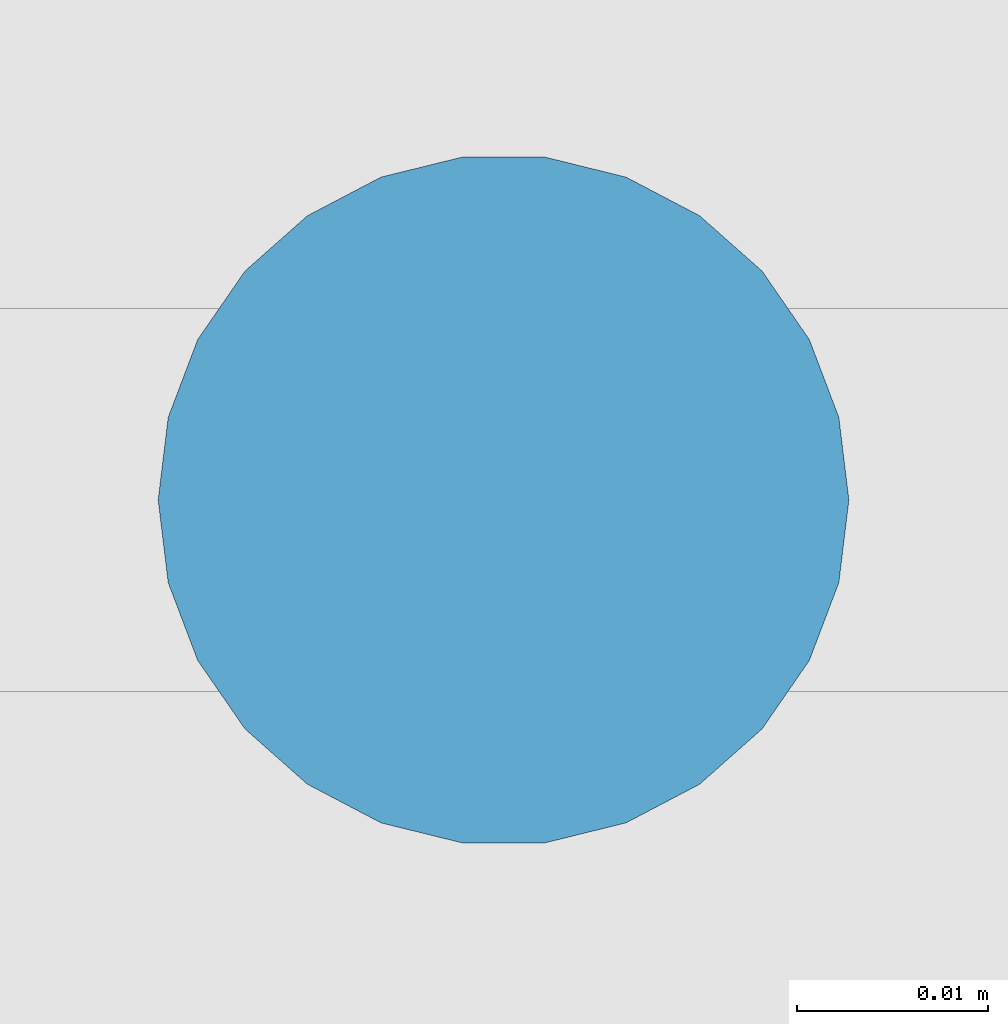
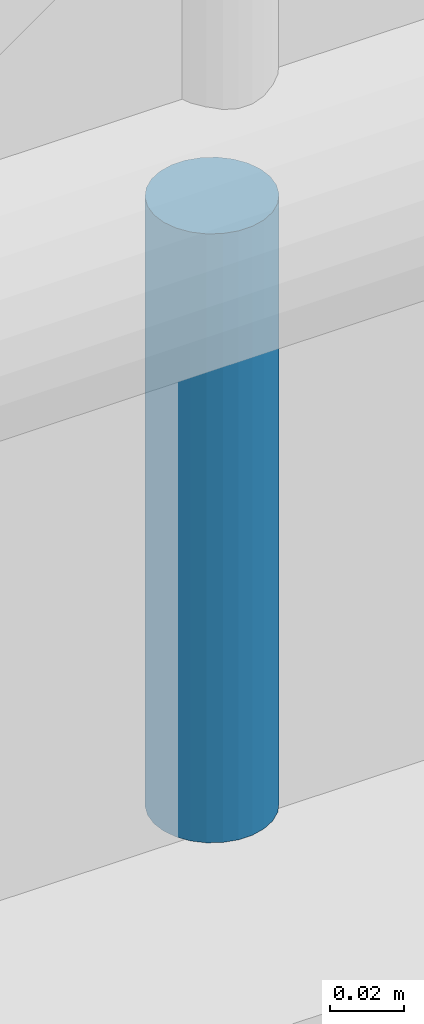
# One storey, part 244 of 321: 1 member.
"""IFC4 building model written with IfcOpenShell, lengths in metres."""

from ifc_helpers import new_model, si_unit, direction, frame, origin, origin_2d, place, context, subcontext, project, spatial, circle, extrude, material, material_profile, profile_set, type_object, element, save


model = new_model("IFC4")

# Units and contexts
model_context = context("Model", 3, precision=1e-05, world=origin(), true_north=direction((0.0, 1.0)))
body_context = subcontext(model_context, "Body", "Model", "MODEL_VIEW")
ifc_project = project(units=[si_unit("LENGTHUNIT", "METRE"), si_unit("AREAUNIT", "SQUARE_METRE"), si_unit("VOLUMEUNIT", "CUBIC_METRE"), si_unit("PLANEANGLEUNIT", "RADIAN"), si_unit("MASSUNIT", "GRAM", prefix="KILO")], contexts=[model_context])

# Site, building, storey
site_placement = place(None, origin())
site = spatial("IfcSite", under=ifc_project, at=site_placement, CompositionType="ELEMENT")
building_placement = place(site_placement, origin())
building = spatial("IfcBuilding", under=site, at=building_placement, Name="Ravi Spectrum Wholesale Market", CompositionType="ELEMENT")
storey_placement = place(building_placement, frame((0.0, 0.0, 10.800048828125)))
storey = spatial("IfcBuildingStorey", under=building, at=storey_placement, Name="L02", CompositionType="ELEMENT", Elevation=10.800048828125)

# Member
ifc_material = material(Name="Steel S355", Category="steel")
ifc_material_profile = material_profile(ifc_material, circle(Radius=0.01806640625, at=origin_2d()))
ifc_profile_set = profile_set([ifc_material_profile], Name="Steel S355")
member_type = type_object("IfcMemberType", Name="ROD 36 hanger", PredefinedType="STRUT", material=ifc_profile_set)
member_placement = place(storey_placement, frame((96.11572265625, 198.0, 0.0), z_axis=(0.0, 0.0, -1.0), x_axis=(1.0, 0.0, 0.0)))
element("IfcMember", 1, at=member_placement, inside=storey, type_object=member_type, Name="H1-MB-L02-1737", PredefinedType="STRUT", context=body_context, shape_type="SweptSolid", body=[
    extrude(circle(Radius=0.01806640625, at=origin_2d()), origin(), (0.0, 0.0, 1.0), 0.199951171875),
])

save(model, "model.ifc")
